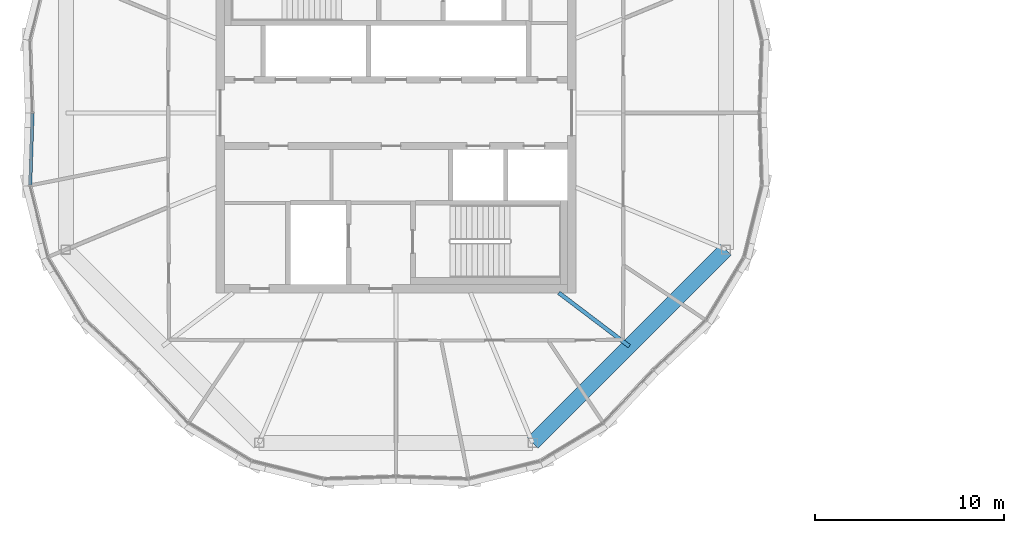
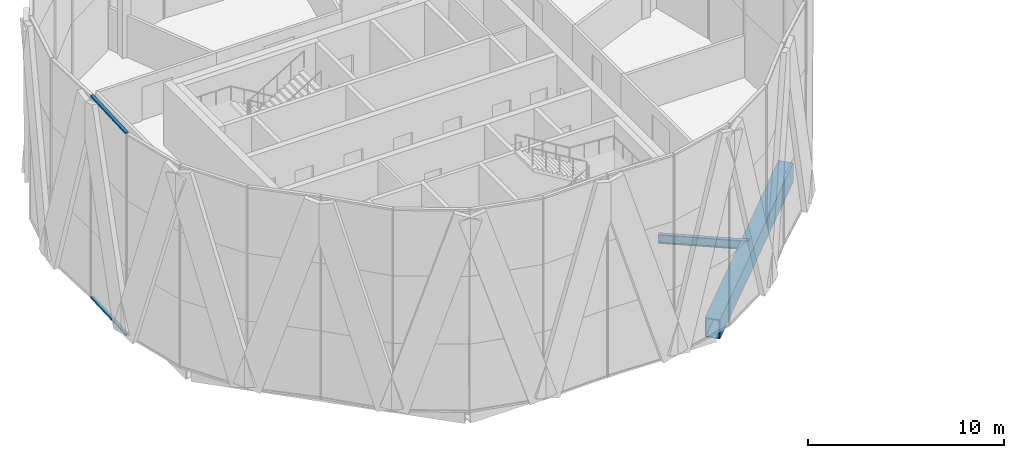
# One storey, part 4 of 23: 2 beams, 2 members, 1 element without a shape of its own.
"""IFC4 building model written with IfcOpenShell, lengths in metres."""

from ifc_helpers import new_model, si_unit, direction, frame, origin, origin_2d, place, context, subcontext, project, spatial, rectangle, hollow_rectangle, i_section, extrude, material, material_profile, profile_set, type_object, element, aggregate, save


model = new_model("IFC4")

# Units and contexts
model_context = context("Model", 3, precision=1e-05, world=origin(), true_north=direction((0.0, 1.0)))
body_context = subcontext(model_context, "Body", "Model", "MODEL_VIEW")
ifc_project = project(units=[si_unit("LENGTHUNIT", "METRE"), si_unit("AREAUNIT", "SQUARE_METRE"), si_unit("VOLUMEUNIT", "CUBIC_METRE"), si_unit("PLANEANGLEUNIT", "RADIAN"), si_unit("MASSUNIT", "GRAM", prefix="KILO")], contexts=[model_context])

# Site, building, storey
site_placement = place(None, origin())
site = spatial("IfcSite", under=ifc_project, at=site_placement, CompositionType="ELEMENT")
building_placement = place(site_placement, origin())
building = spatial("IfcBuilding", under=site, at=building_placement, Name="Ogive Gate Towers", CompositionType="ELEMENT")
storey_placement = place(building_placement, frame((0.0, 0.0, 256.199951171875)))
storey = spatial("IfcBuildingStorey", under=building, at=storey_placement, Name="L60", CompositionType="ELEMENT", Elevation=256.199951171875)

# Beams
ifc_material_1 = material(Name="Steel SM460", Category="steel")
ifc_material_profile_1 = material_profile(ifc_material_1, hollow_rectangle(XDim=0.800048828125, YDim=1.199951171875, WallThickness=0.050048828125, at=origin_2d()), Name="BX 1200x800x50")
ifc_profile_set_1 = profile_set([ifc_material_profile_1], Name="Steel SM460")
beam_type_1 = type_object("IfcBeamType", Name="Edge girder BX 1200x800x50", PredefinedType="BEAM", material=ifc_profile_set_1)
beam_1_placement = place(storey_placement, frame((-28.782470703125, -17.42431640625, -0.89990234375), z_axis=(0.707106781187, 0.707106781187, 0.0), x_axis=(-0.707106781187, 0.707106781187, 0.0)))
element("IfcBeam", 1, at=beam_1_placement, inside=storey, type_object=beam_type_1, Name="T1/L60/SBM019", PredefinedType="BEAM", context=body_context, shape_type="SweptSolid", body=[
    extrude(hollow_rectangle(XDim=0.800048828125, YDim=1.199951171875, WallThickness=0.050048828125, at=origin_2d()), origin(), (0.0, 0.0, 1.0), 14.4345703125),
])
ifc_material_2 = material(Name="Steel SM355", Category="steel")
ifc_material_profile_2 = material_profile(ifc_material_2, i_section(OverallWidth=0.2099609375, OverallDepth=0.550048828125, WebThickness=0.010986328125, FlangeThickness=0.01708984375, FilletRadius=0.02392578125, at=origin_2d()), Name="IPE 550")
ifc_profile_set_2 = profile_set([ifc_material_profile_2], Name="Steel SM355")
beam_type_2 = type_object("IfcBeamType", Name="Radial floor beam IPE 550", PredefinedType="BEAM", material=ifc_profile_set_2)
beam_2_placement = place(storey_placement, frame((-27.39990234375, -9.5, -0.574951171875), z_axis=(0.796877025219, -0.604141545235, 0.0), x_axis=(0.604141545235, 0.796877025219, 0.0)))
element("IfcBeam", 2, at=beam_2_placement, inside=storey, type_object=beam_type_2, Name="T1/L60/SBM006", PredefinedType="BEAM", context=body_context, shape_type="SweptSolid", body=[
    extrude(i_section(OverallWidth=0.2099609375, OverallDepth=0.550048828125, WebThickness=0.010986328125, FlangeThickness=0.01708984375, FilletRadius=0.02392578125, at=origin_2d()), origin(), (0.0, 0.0, 1.0), 4.669189453125),
])

# Curtain wall, members
ifc_material_3 = material(Name="Pale metal aluminium", Category="aluminium")
curtain_wall_type = type_object("IfcCurtainWallType", Name="Tower unitised wall, high zone", PredefinedType="NOTDEFINED", material=ifc_material_3)
curtain_wall_placement = place(storey_placement, origin())
curtain_wall = element("IfcCurtainWall", 3, at=curtain_wall_placement, inside=storey, type_object=curtain_wall_type, Name="CW2 T1 ECW05", PredefinedType="NOTDEFINED")
ifc_material_profile_3 = material_profile(ifc_material_3, rectangle(XDim=0.179931640625, YDim=0.10009765625, at=origin_2d()), Name="100 x 180 aluminium box")
ifc_profile_set_3 = profile_set([ifc_material_profile_3], Name="Pale metal aluminium")
member_type = type_object("IfcMemberType", Name="Tower unitised wall, high zone transom 100 x 180", PredefinedType="USERDEFINED", material=ifc_profile_set_3)
member_1_placement = place(storey_placement, frame((-55.191162109375, -0.0302734375, 12.25), z_axis=(-0.032195461365, -0.99948159176, 0.0), x_axis=(0.99948159176, -0.032195461365, 0.0)))
member_1 = element("IfcMember", 4, at=member_1_placement, type_object=member_type, Name="CW2 transom", ObjectType="TRANSOM", PredefinedType="USERDEFINED", context=body_context, shape_type="SweptSolid", body=[
    extrude(rectangle(XDim=0.179931640625, YDim=0.10009765625, at=origin_2d()), origin(), (0.0, 0.0, 1.0), 3.7763671875),
])
member_2_placement = place(storey_placement, frame((-55.191162109375, -0.0302734375, -0.25), z_axis=(-0.032195461365, -0.99948159176, 0.0), x_axis=(0.99948159176, -0.032195461365, 0.0)))
member_2 = element("IfcMember", 5, at=member_2_placement, type_object=member_type, Name="CW2 transom", ObjectType="TRANSOM", PredefinedType="USERDEFINED", context=body_context, shape_type="SweptSolid", body=[
    extrude(rectangle(XDim=0.179931640625, YDim=0.10009765625, at=origin_2d()), origin(), (0.0, 0.0, 1.0), 3.7763671875),
])
aggregate(curtain_wall, [member_1, member_2])

save(model, "model.ifc")
